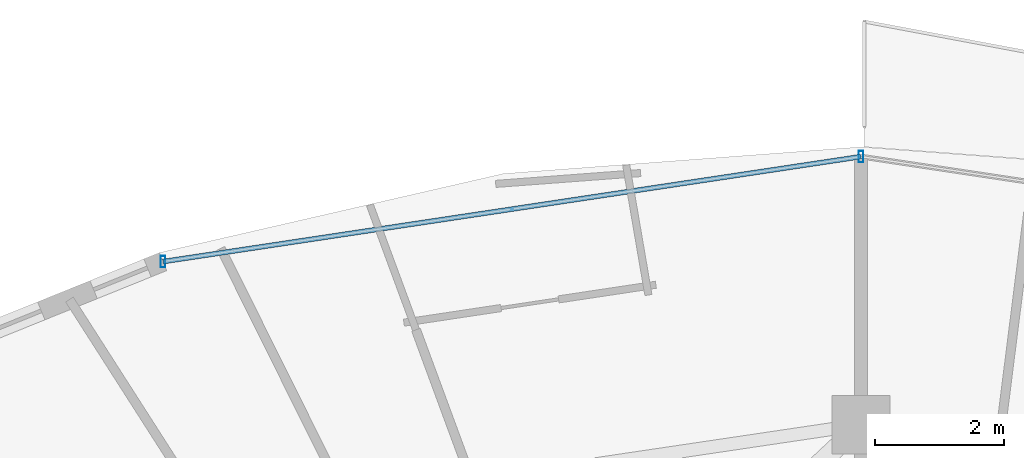
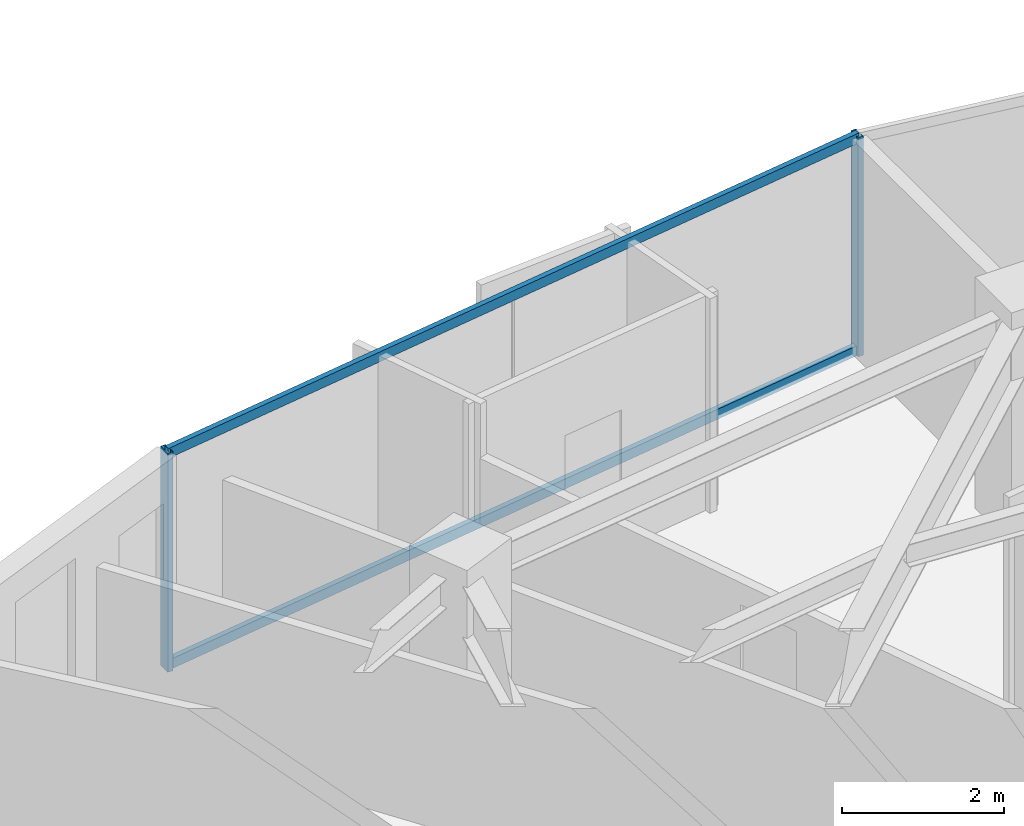
# One storey, part 19 of 34: 4 members, 1 element without a shape of its own.
"""IFC4 building model written with IfcOpenShell, lengths in metres."""

from ifc_helpers import new_model, si_unit, direction, frame, origin, origin_2d, place, context, subcontext, project, spatial, hollow_rectangle, extrude, material, material_profile, profile_set, type_object, element, aggregate, save


model = new_model("IFC4")

# Units and contexts
model_context = context("Model", 3, precision=1e-05, world=origin(), true_north=direction((0.0, 1.0)))
body_context = subcontext(model_context, "Body", "Model", "MODEL_VIEW")
ifc_project = project(units=[si_unit("LENGTHUNIT", "METRE"), si_unit("AREAUNIT", "SQUARE_METRE"), si_unit("VOLUMEUNIT", "CUBIC_METRE"), si_unit("PLANEANGLEUNIT", "RADIAN"), si_unit("MASSUNIT", "GRAM", prefix="KILO")], contexts=[model_context])

# Site, building, storey
site_placement = place(None, origin())
site = spatial("IfcSite", under=ifc_project, at=site_placement, CompositionType="ELEMENT")
building_placement = place(site_placement, origin())
building = spatial("IfcBuilding", under=site, at=building_placement, Name="Vorneva Point Tower", CompositionType="ELEMENT")
storey_placement = place(building_placement, frame((0.0, 0.0, 186.10009765625)))
storey = spatial("IfcBuildingStorey", under=building, at=storey_placement, Name="L50", CompositionType="ELEMENT", Elevation=186.10009765625)

# Curtain wall, members
ifc_material = material(Name="Pale anodised aluminium", Category="aluminium")
curtain_wall_type = type_object("IfcCurtainWallType", Name="CW-RES-SYS", PredefinedType="NOTDEFINED", material=ifc_material)
curtain_wall_placement = place(storey_placement, origin())
curtain_wall = element("IfcCurtainWall", 1, at=curtain_wall_placement, inside=storey, type_object=curtain_wall_type, Name="L50 Unitised Curtain Wall CW-L50-R01", PredefinedType="NOTDEFINED")
ifc_material_profile_1 = material_profile(ifc_material, hollow_rectangle(XDim=0.074951171875, YDim=0.179931640625, WallThickness=0.00390625, at=origin_2d()), Name="AL-MUL 180x75x4")
ifc_profile_set_1 = profile_set([ifc_material_profile_1], Name="Pale anodised aluminium")
member_type_1 = type_object("IfcMemberType", Name="CW-MUL-180", PredefinedType="MULLION", material=ifc_profile_set_1)
member_1_placement = place(storey_placement, frame((38.0, 47.35009765625, -0.0400390625), z_axis=(0.0, 0.0, 1.0), x_axis=(1.0, 0.0, 0.0)))
member_1 = element("IfcMember", 2, at=member_1_placement, type_object=member_type_1, Name="CW-L50-R01 Mullion 04", PredefinedType="MULLION", context=body_context, shape_type="SweptSolid", body=[
    extrude(hollow_rectangle(XDim=0.074951171875, YDim=0.179931640625, WallThickness=0.00390625, at=origin_2d()), origin(), (0.0, 0.0, 1.0), 3.31005859375),
])
member_2_placement = place(storey_placement, frame((27.19677734375, 45.724853515625, -0.0400390625), z_axis=(0.0, 0.0, 1.0), x_axis=(1.0, 0.0, 0.0)))
member_2 = element("IfcMember", 3, at=member_2_placement, type_object=member_type_1, Name="CW-L50-R01 Mullion 05", PredefinedType="MULLION", context=body_context, shape_type="SweptSolid", body=[
    extrude(hollow_rectangle(XDim=0.074951171875, YDim=0.179931640625, WallThickness=0.00390625, at=origin_2d()), origin(), (0.0, 0.0, 1.0), 3.31005859375),
])
ifc_material_profile_2 = material_profile(ifc_material, hollow_rectangle(XDim=0.074951171875, YDim=0.14990234375, WallThickness=0.00390625, at=origin_2d()), Name="AL-TRN 150x75x4")
ifc_profile_set_2 = profile_set([ifc_material_profile_2], Name="Pale anodised aluminium")
member_type_2 = type_object("IfcMemberType", Name="CW-TRN-150", PredefinedType="USERDEFINED", material=ifc_profile_set_2)
member_3_placement = place(storey_placement, frame((38.0, 47.35009765625, 0.02001953125), z_axis=(-0.988872333273, -0.148766624239, 0.0), x_axis=(0.148766624239, -0.988872333273, 0.0)))
member_3 = element("IfcMember", 4, at=member_3_placement, type_object=member_type_2, Name="CW-L50-R01 Transom 04.1", ObjectType="TRANSOM", PredefinedType="USERDEFINED", context=body_context, shape_type="SweptSolid", body=[
    extrude(hollow_rectangle(XDim=0.074951171875, YDim=0.14990234375, WallThickness=0.00390625, at=origin_2d()), origin(), (0.0, 0.0, 1.0), 10.9248046875),
])
member_4_placement = place(storey_placement, frame((38.0, 47.35009765625, 3.219970703125), z_axis=(-0.988872333273, -0.148766624239, 0.0), x_axis=(0.148766624239, -0.988872333273, 0.0)))
member_4 = element("IfcMember", 5, at=member_4_placement, type_object=member_type_2, Name="CW-L50-R01 Transom 04.2", ObjectType="TRANSOM", PredefinedType="USERDEFINED", context=body_context, shape_type="SweptSolid", body=[
    extrude(hollow_rectangle(XDim=0.074951171875, YDim=0.14990234375, WallThickness=0.00390625, at=origin_2d()), origin(), (0.0, 0.0, 1.0), 10.9248046875),
])
aggregate(curtain_wall, [member_1, member_2, member_3, member_4])

save(model, "model.ifc")
